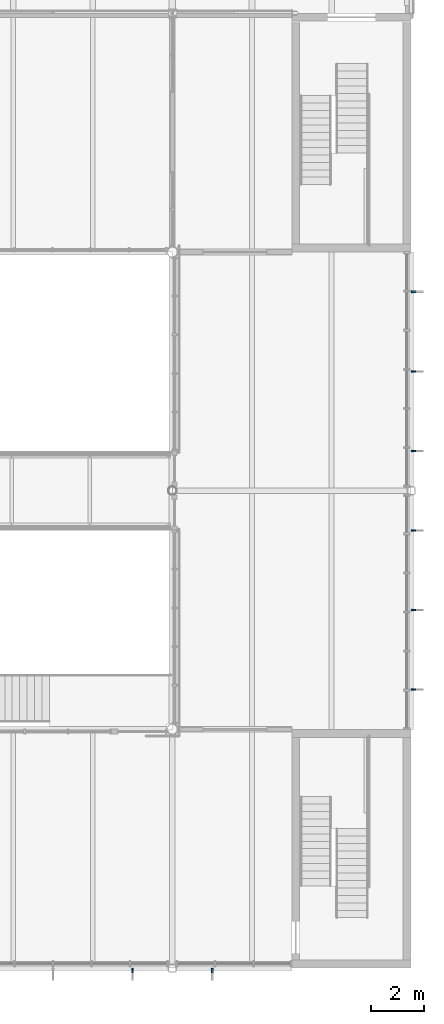
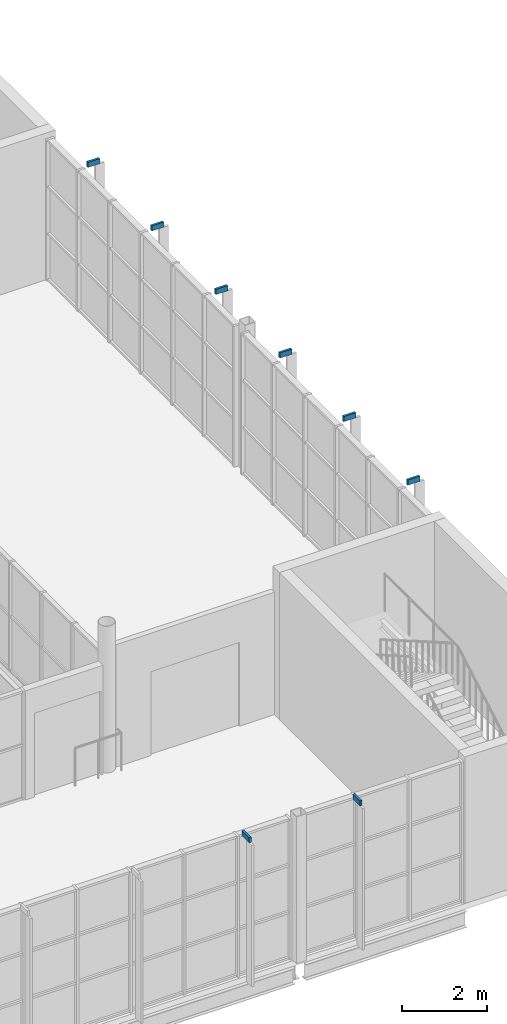
# One storey, part 51 of 61: 8 discrete accessories.
"""IFC4 building model written with IfcOpenShell, lengths in metres."""

from ifc_helpers import new_model, si_unit, direction, frame, origin, origin_2d, place, context, subcontext, project, spatial, rectangle, extrude, element, save


model = new_model("IFC4")

# Units and contexts
model_context = context("Model", 3, precision=1e-05, world=origin(), true_north=direction((0.0, 1.0)))
body_context = subcontext(model_context, "Body", "Model", "MODEL_VIEW")
ifc_project = project(units=[si_unit("LENGTHUNIT", "METRE"), si_unit("AREAUNIT", "SQUARE_METRE"), si_unit("VOLUMEUNIT", "CUBIC_METRE"), si_unit("PLANEANGLEUNIT", "RADIAN"), si_unit("MASSUNIT", "GRAM", prefix="KILO")], contexts=[model_context])

# Site, building, storey
site_placement = place(None, origin())
site = spatial("IfcSite", under=ifc_project, at=site_placement, CompositionType="ELEMENT")
building_placement = place(site_placement, origin())
building = spatial("IfcBuilding", under=site, at=building_placement, Name="Halyard Row Museum", CompositionType="ELEMENT")
storey_placement = place(building_placement, frame((0.0, 0.0, 9.199951171875)))
storey = spatial("IfcBuildingStorey", under=building, at=storey_placement, Name="L02", CompositionType="ELEMENT", Elevation=9.199951171875)

# Discrete accessories
for number, where, z_axis, x_axis, name in (
    (1, (97.5, -0.16259765625, 4.050048828125), (0.0, 0.0, 1.0), (1.0, 0.0, 0.0), "Fin bracket"),
    (2, (100.5, -0.16259765625, 4.050048828125), (0.0, 0.0, 1.0), (1.0, 0.0, 0.0), "Fin bracket"),
):
    element("IfcDiscreteAccessory", number, at=place(storey_placement, frame(where, z_axis=z_axis, x_axis=x_axis)), inside=storey, Name=name, PredefinedType="BRACKET", context=body_context, shape_type="SweptSolid", body=[
        extrude(rectangle(XDim=0.06005859375, YDim=0.324951171875, at=origin_2d()), origin(), (0.0, 0.0, 1.0), 0.14990234375),
    ])
for number, where, z_axis, x_axis, name in (
    (3, (108.16259765625, 10.5, 4.050048828125), (0.0, 0.0, 1.0), (1.0, 0.0, 0.0), "Fin bracket"),
    (4, (108.16259765625, 13.5, 4.050048828125), (0.0, 0.0, 1.0), (1.0, 0.0, 0.0), "Fin bracket"),
    (5, (108.16259765625, 16.5, 4.050048828125), (0.0, 0.0, 1.0), (1.0, 0.0, 0.0), "Fin bracket"),
    (6, (108.16259765625, 19.5, 4.050048828125), (0.0, 0.0, 1.0), (1.0, 0.0, 0.0), "Fin bracket"),
    (7, (108.16259765625, 22.5, 4.050048828125), (0.0, 0.0, 1.0), (1.0, 0.0, 0.0), "Fin bracket"),
    (8, (108.16259765625, 25.5, 4.050048828125), (0.0, 0.0, 1.0), (1.0, 0.0, 0.0), "Fin bracket"),
):
    element("IfcDiscreteAccessory", number, at=place(storey_placement, frame(where, z_axis=z_axis, x_axis=x_axis)), inside=storey, Name=name, PredefinedType="BRACKET", context=body_context, shape_type="SweptSolid", body=[
        extrude(rectangle(XDim=0.324951171875, YDim=0.06005859375, at=origin_2d()), origin(), (0.0, 0.0, 1.0), 0.14990234375),
    ])

save(model, "model.ifc")
